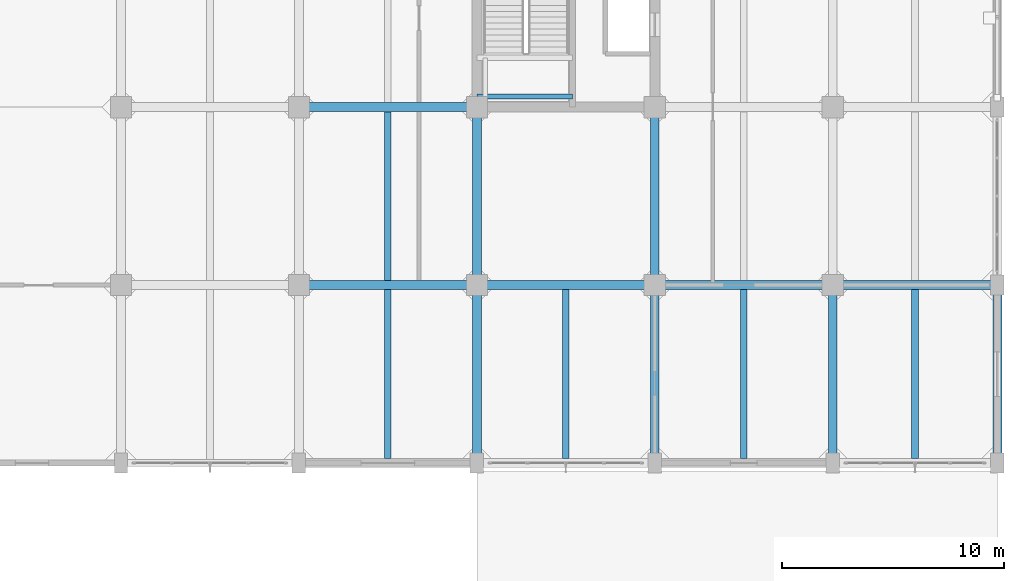
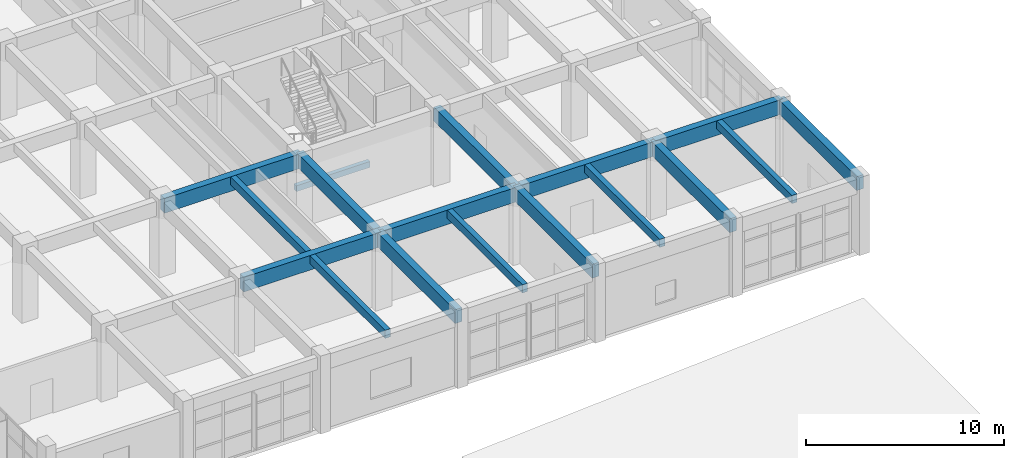
# One storey, part 27 of 63: 17 beams.
"""IFC4 building model written with IfcOpenShell, lengths in metres."""

import ifcopenshell
import ifcopenshell.guid

model = None  # the IFC model being written
_history = None  # IfcOwnerHistory: only IFC2X3 demands one
_inside = {}  # id of a spatial element -> (the spatial element, [elements in it])
_under = {}  # id of a project, library or spatial element -> (it, [spatial elements below it])
_declared = {}  # id of a project -> (the project, [libraries it declares])
_typed = {}  # id of a type object -> (the type object, [elements of that type])
_made_of = {}  # id of a material, layer set ... -> (it, [elements and type objects made of it])


def new_model(schema):
    """Start an empty IFC model of exactly this schema.

    Asked for "IFC4X3", IfcOpenShell would pick the latest addendum, in which some entities
    have other attributes; the version numbers below select the first issue.
    IFC2X3 requires an IfcOwnerHistory on every rooted entity: one is made here for all.
    """
    global model, _history
    if schema == "IFC4X3":
        model = ifcopenshell.file(schema_version=(4, 3, 0, 0))
    else:
        model = ifcopenshell.file(schema=schema)
    _inside.clear()
    _under.clear()
    _declared.clear()
    _typed.clear()
    _made_of.clear()
    _history = None
    if model.schema == "IFC2X3":
        org = make("IfcOrganization", Name="unknown")
        user = make(
            "IfcPersonAndOrganization",
            ThePerson=make("IfcPerson", FamilyName="unknown"),
            TheOrganization=org,
        )
        app = make(
            "IfcApplication",
            ApplicationDeveloper=org,
            Version="unknown",
            ApplicationFullName="unknown",
            ApplicationIdentifier="unknown",
        )
        _history = make(
            "IfcOwnerHistory",
            OwningUser=user,
            OwningApplication=app,
            ChangeAction="ADDED",
            CreationDate=0,
        )
    return model


def make(cls, **values):
    """One entity of the class cls with the attributes given. An attribute that is None is left unset."""
    return model.create_entity(
        cls, **{name: value for name, value in values.items() if value is not None}
    )


def rooted(cls, **values):
    """An entity with a GlobalId (a new one), such as an element, a storey or a relation."""
    return make(cls, GlobalId=ifcopenshell.guid.new(), OwnerHistory=_history, **values)


def si_unit(unit_type, name, prefix=None):
    """IfcSIUnit, for example si_unit("LENGTHUNIT", "METRE", prefix="MILLI")."""
    return make("IfcSIUnit", UnitType=unit_type, Prefix=prefix, Name=name)


def assignment(units):
    """IfcUnitAssignment: the units of a project."""
    return None if units is None else make("IfcUnitAssignment", Units=units)


def point(xyz):
    """IfcCartesianPoint."""
    return None if xyz is None else make("IfcCartesianPoint", Coordinates=xyz)


def direction(xyz):
    """IfcDirection."""
    return None if xyz is None else make("IfcDirection", DirectionRatios=xyz)


def frame(location, z_axis=None, x_axis=None):
    """IfcAxis2Placement3D, a coordinate frame: its origin and axes. An axis left out is left unset."""
    return make(
        "IfcAxis2Placement3D",
        Location=point(location),
        Axis=direction(z_axis),
        RefDirection=direction(x_axis),
    )


def frame_2d(location, x_axis=None):
    """IfcAxis2Placement2D, a coordinate frame in the plane: its origin and x axis."""
    return make(
        "IfcAxis2Placement2D", Location=point(location), RefDirection=direction(x_axis)
    )


def origin():
    """The frame at (0, 0, 0) with its axes left unset."""
    return frame((0.0, 0.0, 0.0))


def origin_2d():
    """The frame at (0, 0) in the plane with its x axis left unset."""
    return frame_2d((0.0, 0.0))


def place(relative_to, where):
    """IfcLocalPlacement: puts the frame where relative to a parent placement (None: the world)."""
    return make(
        "IfcLocalPlacement", PlacementRelTo=relative_to, RelativePlacement=where
    )


def context(
    kind, dimensions, precision=None, world=None, true_north=None, identifier=None
):
    """IfcGeometricRepresentationContext, for example the 3D "Model" context."""
    return make(
        "IfcGeometricRepresentationContext",
        ContextIdentifier=identifier,
        ContextType=kind,
        CoordinateSpaceDimension=dimensions,
        Precision=precision,
        WorldCoordinateSystem=world,
        TrueNorth=true_north,
    )


def subcontext(parent, identifier, kind, view, scale=None):
    """IfcGeometricRepresentationSubContext, for example "Body" below "Model"."""
    return make(
        "IfcGeometricRepresentationSubContext",
        ContextIdentifier=identifier,
        ContextType=kind,
        ParentContext=parent,
        TargetScale=scale,
        TargetView=view,
    )


def project(units=None, contexts=None):
    """IfcProject with its units and contexts."""
    return rooted(
        "IfcProject",
        Name="project",
        RepresentationContexts=contexts,
        UnitsInContext=assignment(units),
    )


def spatial(cls, under=None, at=None, **own):
    """A site, building, storey or space (cls), placed at a placement, below another one or the project."""
    s = rooted(cls, ObjectPlacement=at, **own)
    if under is not None:
        _under.setdefault(under.id(), (under, []))[1].append(s)
    return s


def profile(cls, at=None, kind="AREA", **sizes):
    """A parametric profile (cls). Its sizes go by their IFC names, for example OverallWidth=200.0."""
    return make(cls, ProfileType=kind, Position=at, **sizes)


def rectangle(**sizes):
    """IfcRectangleProfileDef."""
    return profile("IfcRectangleProfileDef", **sizes)


def extrude(swept, where, along, depth):
    """IfcExtrudedAreaSolid: the profile swept, set in the frame where, extruded along a direction by depth."""
    return make(
        "IfcExtrudedAreaSolid",
        SweptArea=swept,
        Position=where,
        ExtrudedDirection=direction(along),
        Depth=depth,
    )


def shape(context_of_items, identifier, shape_type, items):
    """IfcShapeRepresentation: the items that make up one representation, for example the "Body"."""
    return make(
        "IfcShapeRepresentation",
        ContextOfItems=context_of_items,
        RepresentationIdentifier=identifier,
        RepresentationType=shape_type,
        Items=items,
    )


def material(Name=None, Category=None):
    """IfcMaterial."""
    return make("IfcMaterial", Name=Name, Category=Category)


def material_profile(
    of_material, cross_section, Name=None, Category=None, Priority=None
):
    """IfcMaterialProfile: a cross section and its material."""
    return make(
        "IfcMaterialProfile",
        Name=Name,
        Material=of_material,
        Profile=cross_section,
        Priority=Priority,
        Category=Category,
    )


def profile_set(profiles, Name=None, composite=None):
    """IfcMaterialProfileSet."""
    return make(
        "IfcMaterialProfileSet",
        Name=Name,
        MaterialProfiles=profiles,
        CompositeProfile=composite,
    )


def made_of(thing, what):
    """Note that an element or type object is made of a material, layer set ...; save() writes the relation."""
    if what is not None:
        _made_of.setdefault(what.id(), (what, []))[1].append(thing)
    return thing


def type_object(cls, material=None, **own):
    """A type object (cls), such as IfcWallType, which elements share."""
    return made_of(rooted(cls, **own), material)


def element(
    cls,
    number,
    at=None,
    inside=None,
    cuts=None,
    type_object=None,
    material=None,
    context=None,
    identifier="Body",
    shape_type=None,
    held_by="IfcProductDefinitionShape",
    body=None,
    shapes=None,
    **own,
):
    """One element of the class cls, such as IfcWall. Its Tag is "e" and its number.

    at: its placement. inside: the storey or other place that contains it. cuts: it is an
    opening in that element (IfcRelVoidsElement). A single representation is given by context,
    identifier, shape_type and body (its items); several are given by shapes. held_by: the class
    of the entity that holds the representations. save() writes the other relations.
    """
    e = rooted(cls, Tag="e%d" % number, ObjectPlacement=at, **own)
    if body is not None:
        shapes = [shape(context, identifier, shape_type, body)]
    if shapes is not None:
        e.Representation = make(held_by, Representations=shapes)
    if inside is not None:
        _inside.setdefault(inside.id(), (inside, []))[1].append(e)
    if cuts is not None:
        rooted(
            "IfcRelVoidsElement", RelatingBuildingElement=cuts, RelatedOpeningElement=e
        )
    if type_object is not None:
        _typed.setdefault(type_object.id(), (type_object, []))[1].append(e)
    return made_of(e, material)


def aggregate(whole, parts):
    """IfcRelAggregates: a whole, such as a stair, and the parts it consists of."""
    return rooted("IfcRelAggregates", RelatingObject=whole, RelatedObjects=parts)


def save(model, path):
    """Write the relations noted so far, then the file.

    IfcRelAggregates (storeys below a building ...), IfcRelContainedInSpatialStructure (elements
    in a storey), IfcRelDefinesByType, IfcRelAssociatesMaterial and IfcRelDeclares: one each for
    every whole, place, type object, material and project.
    """
    for whole, parts in _under.values():
        aggregate(whole, parts)
    for where, things in _inside.values():
        rooted(
            "IfcRelContainedInSpatialStructure",
            RelatedElements=things,
            RelatingStructure=where,
        )
    for kind, things in _typed.values():
        rooted("IfcRelDefinesByType", RelatedObjects=things, RelatingType=kind)
    for what, things in _made_of.values():
        rooted("IfcRelAssociatesMaterial", RelatedObjects=things, RelatingMaterial=what)
    for by, libraries in _declared.values():
        rooted("IfcRelDeclares", RelatingContext=by, RelatedDefinitions=libraries)
    model.write(path)


model = new_model("IFC4")

# Units and contexts
model_context = context("Model", 3, precision=1e-05, world=origin(), true_north=direction((0.0, 1.0)))
body_context = subcontext(model_context, "Body", "Model", "MODEL_VIEW")
ifc_project = project(units=[si_unit("LENGTHUNIT", "METRE"), si_unit("AREAUNIT", "SQUARE_METRE"), si_unit("VOLUMEUNIT", "CUBIC_METRE"), si_unit("PLANEANGLEUNIT", "RADIAN"), si_unit("MASSUNIT", "GRAM", prefix="KILO")], contexts=[model_context])

# Site, building, storey
site_placement = place(None, origin())
site = spatial("IfcSite", under=ifc_project, at=site_placement, CompositionType="ELEMENT")
building_placement = place(site_placement, origin())
building = spatial("IfcBuilding", under=site, at=building_placement, Name="Canggui Botanical Conservatory", CompositionType="ELEMENT")
storey_placement = place(building_placement, frame((0.0, 0.0, 10.199951171875)))
storey = spatial("IfcBuildingStorey", under=building, at=storey_placement, Name="L03", CompositionType="ELEMENT", Elevation=10.199951171875)

# Beams
ifc_material = material(Name="Concrete C35", Category="concrete")
ifc_material_profile_1 = material_profile(ifc_material, rectangle(XDim=0.300048828125, YDim=0.5, at=origin_2d()), Name="RB 300x500")
ifc_profile_set_1 = profile_set([ifc_material_profile_1], Name="Concrete C35")
beam_type_1 = type_object("IfcBeamType", Name="BM-JST02", PredefinedType="JOIST", material=ifc_profile_set_1)
for number, where, z_axis, x_axis, name in (
    (1, (150.0, 26.205078125, 4.300048828125), (0.0, 1.0, 0.0), (-1.0, 0.0, 0.0), "Secondary Floor Joist L03-2-1"),
    (2, (150.0, 34.205078125, 4.300048828125), (0.0, 1.0, 0.0), (-1.0, 0.0, 0.0), "Secondary Floor Joist L03-2-2"),
    (3, (158.0, 26.205078125, 4.300048828125), (0.0, 1.0, 0.0), (-1.0, 0.0, 0.0), "Secondary Floor Joist L03-3-1"),
    (4, (166.0, 26.205078125, 4.300048828125), (0.0, 1.0, 0.0), (-1.0, 0.0, 0.0), "Secondary Floor Joist L03-4-1"),
    (5, (173.699951171875, 26.205078125, 4.300048828125), (0.0, 1.0, 0.0), (-1.0, 0.0, 0.0), "Secondary Floor Joist L03-5-1"),
):
    element("IfcBeam", number, at=place(storey_placement, frame(where, z_axis=z_axis, x_axis=x_axis)), inside=storey, type_object=beam_type_1, Name=name, PredefinedType="JOIST", context=body_context, shape_type="SweptSolid", body=[
        extrude(rectangle(XDim=0.300048828125, YDim=0.5, at=origin_2d()), origin(), (0.0, 0.0, 1.0), 7.58984375),
    ])
ifc_material_profile_2 = material_profile(ifc_material, rectangle(XDim=0.39990234375, YDim=0.89990234375, at=origin_2d()), Name="RB 400x900")
ifc_profile_set_2 = profile_set([ifc_material_profile_2], Name="Concrete C35")
beam_type_2 = type_object("IfcBeamType", Name="BM-KL07", PredefinedType="BEAM", material=ifc_profile_set_2)
for number, where, z_axis, x_axis, name in (
    (6, (146.0, 34.0, 4.10009765625), (1.0, 0.0, 0.0), (0.0, 1.0, 0.0), "Frame Girder L03 Y34-2"),
    (7, (154.0, 34.0, 4.10009765625), (1.0, 0.0, 0.0), (0.0, 1.0, 0.0), "Frame Girder L03 Y34-3"),
    (8, (162.0, 34.0, 4.10009765625), (1.0, 0.0, 0.0), (0.0, 1.0, 0.0), "Frame Girder L03 Y34-4"),
):
    element("IfcBeam", number, at=place(storey_placement, frame(where, z_axis=z_axis, x_axis=x_axis)), inside=storey, type_object=beam_type_2, Name=name, PredefinedType="BEAM", context=body_context, shape_type="SweptSolid", body=[
        extrude(rectangle(XDim=0.39990234375, YDim=0.89990234375, at=origin_2d()), origin(), (0.0, 0.0, 1.0), 8.0),
    ])
beam_1_placement = place(storey_placement, frame((170.0, 34.0, 4.10009765625), z_axis=(1.0, 0.0, 0.0), x_axis=(0.0, 1.0, 0.0)))
element("IfcBeam", 9, at=beam_1_placement, inside=storey, type_object=beam_type_2, Name="Frame Girder L03 Y34-5", PredefinedType="BEAM", context=body_context, shape_type="SweptSolid", body=[
    extrude(rectangle(XDim=0.39990234375, YDim=0.89990234375, at=origin_2d()), origin(), (0.0, 0.0, 1.0), 7.39990234375),
])
beam_2_placement = place(storey_placement, frame((146.0, 42.0, 4.10009765625), z_axis=(1.0, 0.0, 0.0), x_axis=(0.0, 1.0, 0.0)))
element("IfcBeam", 10, at=beam_2_placement, inside=storey, type_object=beam_type_2, Name="Frame Girder L03 Y42-2", PredefinedType="BEAM", context=body_context, shape_type="SweptSolid", body=[
    extrude(rectangle(XDim=0.39990234375, YDim=0.89990234375, at=origin_2d()), origin(), (0.0, 0.0, 1.0), 8.0),
])
ifc_material_profile_3 = material_profile(ifc_material, rectangle(XDim=0.39990234375, YDim=0.85009765625, at=origin_2d()), Name="RB 400x850")
ifc_profile_set_3 = profile_set([ifc_material_profile_3], Name="Concrete C35")
beam_type_3 = type_object("IfcBeamType", Name="BM-KL08", PredefinedType="BEAM", material=ifc_profile_set_3)
for number, where, z_axis, x_axis, name in (
    (11, (154.0, 26.0, 4.125), (0.0, 1.0, 0.0), (-1.0, 0.0, 0.0), "Frame Girder L03 X154-1"),
    (12, (154.0, 34.0, 4.125), (0.0, 1.0, 0.0), (-1.0, 0.0, 0.0), "Frame Girder L03 X154-2"),
    (13, (162.0, 26.0, 4.125), (0.0, 1.0, 0.0), (-1.0, 0.0, 0.0), "Frame Girder L03 X162-1"),
    (14, (162.0, 34.0, 4.125), (0.0, 1.0, 0.0), (-1.0, 0.0, 0.0), "Frame Girder L03 X162-2"),
    (15, (170.0, 26.0, 4.125), (0.0, 1.0, 0.0), (-1.0, 0.0, 0.0), "Frame Girder L03 X170-1"),
    (16, (177.39990234375, 26.0, 4.125), (0.0, 1.0, 0.0), (-1.0, 0.0, 0.0), "Frame Girder L03 X178-1"),
):
    element("IfcBeam", number, at=place(storey_placement, frame(where, z_axis=z_axis, x_axis=x_axis)), inside=storey, type_object=beam_type_3, Name=name, PredefinedType="BEAM", context=body_context, shape_type="SweptSolid", body=[
        extrude(rectangle(XDim=0.39990234375, YDim=0.85009765625, at=origin_2d()), origin(), (0.0, 0.0, 1.0), 8.0),
    ])
ifc_material_profile_4 = material_profile(ifc_material, rectangle(XDim=0.239990234375, YDim=0.360107421875, at=origin_2d()), Name="RB 240x360")
ifc_profile_set_4 = profile_set([ifc_material_profile_4], Name="Concrete C35")
beam_type_4 = type_object("IfcBeamType", Name="BM-LIN01", PredefinedType="LINTEL", material=ifc_profile_set_4)
beam_3_placement = place(storey_placement, frame((154.0, 42.47998046875, 2.02001953125), z_axis=(1.0, 0.0, 0.0), x_axis=(0.0, 1.0, 0.0)))
element("IfcBeam", 17, at=beam_3_placement, inside=storey, type_object=beam_type_4, Name="ST-T1 Half-Landing Ledger Beam L03-1.1", PredefinedType="LINTEL", context=body_context, shape_type="SweptSolid", body=[
    extrude(rectangle(XDim=0.239990234375, YDim=0.360107421875, at=origin_2d()), origin(), (0.0, 0.0, 1.0), 4.300048828125),
])

save(model, "model.ifc")
